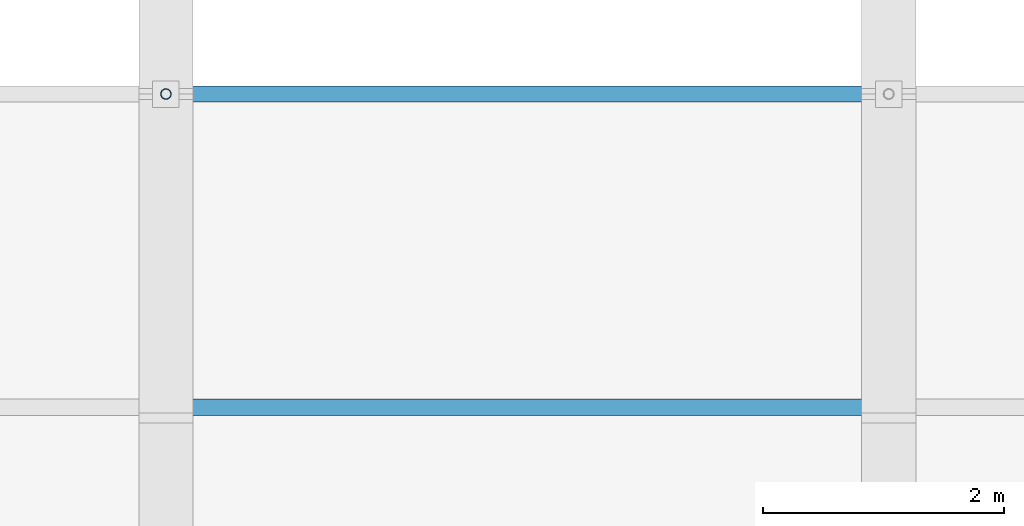
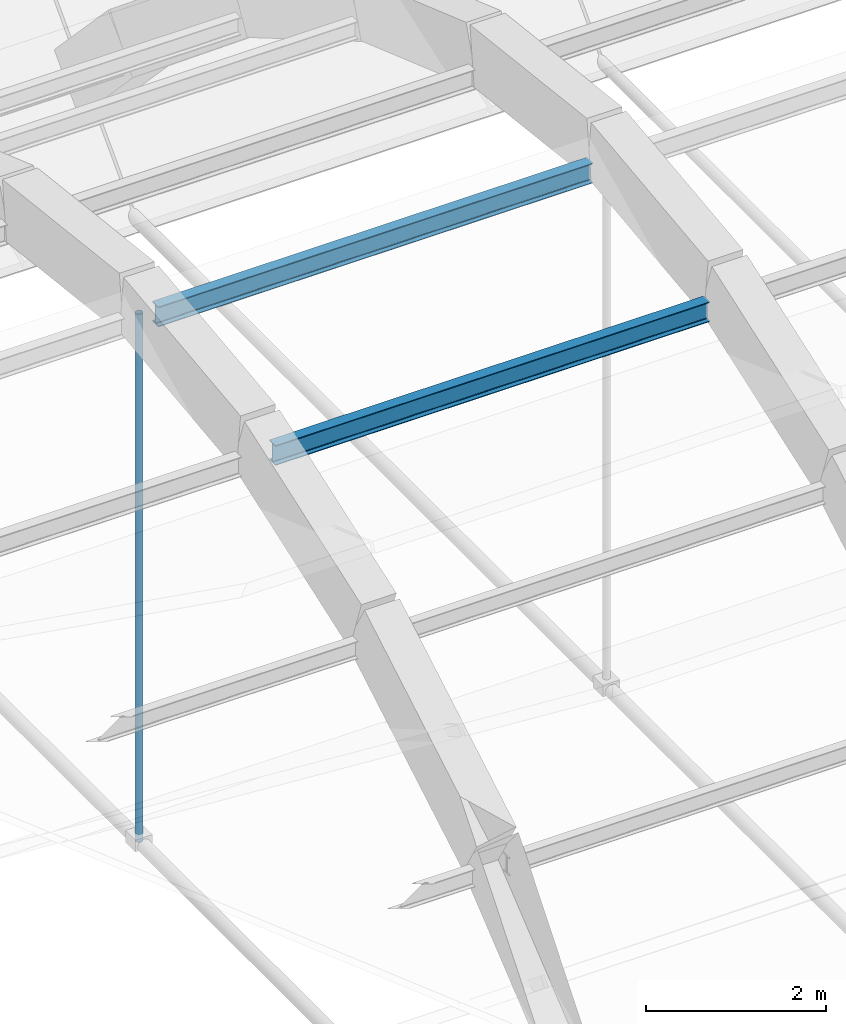
# One storey, part 30 of 123: 2 beams, 1 member.
"""IFC4 building model written with IfcOpenShell, lengths in metres."""

from ifc_helpers import new_model, si_unit, direction, frame, origin, origin_2d, place, context, subcontext, project, spatial, hollow_circle, i_section, extrude, material, material_profile, profile_set, type_object, element, save


model = new_model("IFC4")

# Units and contexts
model_context = context("Model", 3, precision=1e-05, world=origin(), true_north=direction((0.0, 1.0)))
body_context = subcontext(model_context, "Body", "Model", "MODEL_VIEW")
ifc_project = project(units=[si_unit("LENGTHUNIT", "METRE"), si_unit("AREAUNIT", "SQUARE_METRE"), si_unit("VOLUMEUNIT", "CUBIC_METRE"), si_unit("PLANEANGLEUNIT", "RADIAN"), si_unit("MASSUNIT", "GRAM", prefix="KILO"), si_unit("POWERUNIT", "WATT"), si_unit("THERMODYNAMICTEMPERATUREUNIT", "KELVIN")], contexts=[model_context])

# Site, building, storey
site_placement = place(None, origin())
site = spatial("IfcSite", under=ifc_project, at=site_placement, CompositionType="ELEMENT")
building_placement = place(site_placement, origin())
building = spatial("IfcBuilding", under=site, at=building_placement, Name="Ruvembo Vaulted Housing Court", CompositionType="ELEMENT")
storey_placement = place(building_placement, frame((0.0, 0.0, 7.699951171875)))
storey = spatial("IfcBuildingStorey", under=building, at=storey_placement, Name="L02", CompositionType="ELEMENT", Elevation=7.699951171875)

# Beams
ifc_material = material(Name="Steel S355J2", Category="steel")
ifc_material_profile_1 = material_profile(ifc_material, i_section(OverallWidth=0.135009765625, OverallDepth=0.27001953125, WebThickness=0.006591796875, FlangeThickness=0.01025390625, FilletRadius=0.014892578125, at=origin_2d()), Name="IPE 270")
ifc_profile_set_1 = profile_set([ifc_material_profile_1], Name="Steel S355J2")
beam_type = type_object("IfcBeamType", Name="BM-ST-IPE270", PredefinedType="BEAM", material=ifc_profile_set_1)
for number, where, z_axis, x_axis, name in (
    (1, (90.2099609375, 52.39990234375, 5.51611328125), (1.0, 0.0, 0.0), (0.0, 1.0, 0.0), "Vault Bay 5 Steel Purlin K4"),
    (2, (90.2099609375, 55.0, 5.820068359375), (1.0, 0.0, 0.0), (0.0, 1.0, 0.0), "Vault Bay 5 Steel Purlin K5"),
):
    element("IfcBeam", number, at=place(storey_placement, frame(where, z_axis=z_axis, x_axis=x_axis)), inside=storey, type_object=beam_type, Name=name, PredefinedType="BEAM", context=body_context, shape_type="SweptSolid", body=[
        extrude(i_section(OverallWidth=0.135009765625, OverallDepth=0.27001953125, WebThickness=0.006591796875, FlangeThickness=0.01025390625, FilletRadius=0.014892578125, at=origin_2d()), origin(), (0.0, 0.0, 1.0), 5.580078125),
    ])

# Member
ifc_material_profile_2 = material_profile(ifc_material, hollow_circle(Radius=0.04443359375, WallThickness=0.0048828125, at=origin_2d()), Name="CHS 88.9x5")
ifc_profile_set_2 = profile_set([ifc_material_profile_2], Name="Steel S355J2")
member_type = type_object("IfcMemberType", Name="MEM-HGR-CHS89", PredefinedType="STRUT", material=ifc_profile_set_2)
member_placement = place(storey_placement, frame((90.0, 55.0, -1.25), z_axis=(0.0, 0.0, 1.0), x_axis=(1.0, 0.0, 0.0)))
element("IfcMember", 3, at=member_placement, inside=storey, type_object=member_type, Name="Vault Crown Hanger Rod VH-05", PredefinedType="STRUT", context=body_context, shape_type="SweptSolid", body=[
    extrude(hollow_circle(Radius=0.04443359375, WallThickness=0.0048828125, at=origin_2d()), origin(), (0.0, 0.0, 1.0), 7.170166015625),
])

save(model, "model.ifc")
